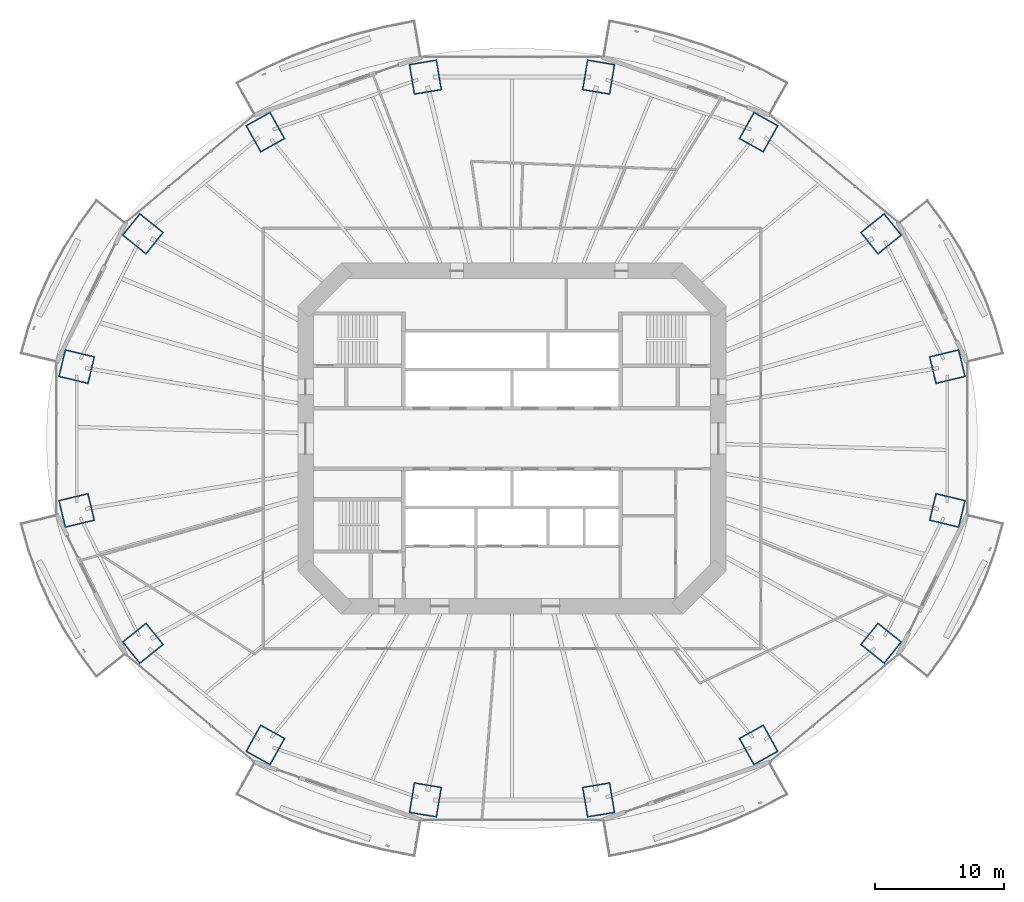
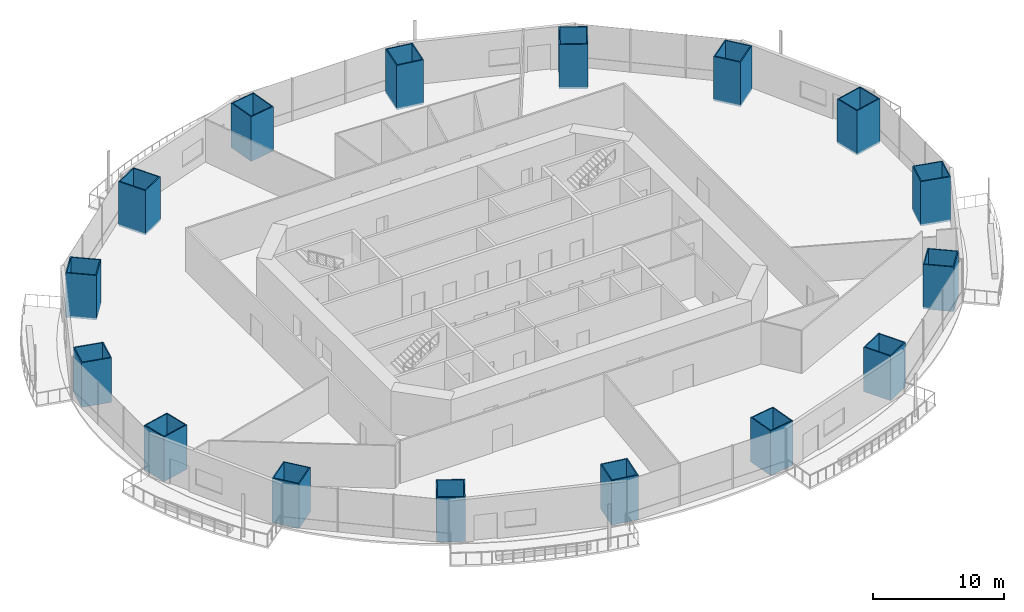
# One storey, part 1 of 23: 16 columns.
"""IFC4 building model written with IfcOpenShell, lengths in metres."""

from ifc_helpers import new_model, si_unit, direction, frame, origin, origin_2d, place, context, subcontext, project, spatial, rectangle, hollow_rectangle, extrude, material, material_profile, profile_set, type_object, element, save


model = new_model("IFC4")

# Units and contexts
model_context = context("Model", 3, precision=1e-05, world=origin(), true_north=direction((0.0, 1.0)))
body_context = subcontext(model_context, "Body", "Model", "MODEL_VIEW")
ifc_project = project(units=[si_unit("LENGTHUNIT", "METRE"), si_unit("AREAUNIT", "SQUARE_METRE"), si_unit("VOLUMEUNIT", "CUBIC_METRE"), si_unit("PLANEANGLEUNIT", "RADIAN"), si_unit("MASSUNIT", "GRAM", prefix="KILO")], contexts=[model_context])

# Site, building, storey
site_placement = place(None, origin())
site = spatial("IfcSite", under=ifc_project, at=site_placement, CompositionType="ELEMENT")
building_placement = place(site_placement, origin())
building = spatial("IfcBuilding", under=site, at=building_placement, Name="Marenthal Gate Tower", CompositionType="ELEMENT")
storey_placement = place(building_placement, frame((0.0, 0.0, 57.89990234375)))
storey = spatial("IfcBuildingStorey", under=building, at=storey_placement, Name="L10", CompositionType="ELEMENT", Elevation=57.89990234375)

# Columns
ifc_material_1 = material(Name="Steel S460", Category="steel")
ifc_material_profile_1 = material_profile(ifc_material_1, hollow_rectangle(XDim=2.199951171875, YDim=2.39990234375, WallThickness=0.090087890625, at=origin_2d()), Name="CFT BOX 2400X2200X90")
ifc_material_2 = material(Name="Concrete 70 MPa", Category="concrete")
ifc_material_profile_2 = material_profile(ifc_material_2, rectangle(XDim=2.02001953125, YDim=2.219970703125, at=origin_2d()), Name="CFT BOX 2400X2200X90 INFILL")
ifc_profile_set = profile_set([ifc_material_profile_1, ifc_material_profile_2], Name="Steel S460 shell, Concrete 70 MPa infill")
column_type = type_object("IfcColumnType", Name="CFT BOX 2400X2200X90", PredefinedType="COLUMN", material=ifc_profile_set)
for number, where, z_axis, x_axis, name in (
    (1, (33.753662109375, 5.573486328125, -0.179931640625), (0.0, 0.0, 1.0), (0.233019367947, -0.972472094284, 0.0), "COL-L10-01"),
    (2, (28.614990234375, 15.8720703125, -0.179931640625), (0.0, 0.0, 1.0), (0.627022662824, -0.779001014316, 0.0), "COL-L10-02"),
    (3, (19.119873046875, 23.75439453125, -0.179931640625), (0.0, 0.0, 1.0), (0.874483442073, -0.4850553675, 0.0), "COL-L10-03"),
    (4, (6.714111328125, 28.02001953125, -0.179931640625), (0.0, 0.0, 1.0), (0.98663963585, -0.16291785958, 0.0), "COL-L10-04"),
    (5, (-6.714111328125, 28.02001953125, -0.179931640625), (0.0, 0.0, 1.0), (0.98663963585, 0.16291785958, 0.0), "COL-L10-05"),
    (6, (-19.119873046875, 23.75439453125, -0.179931640625), (0.0, 0.0, 1.0), (0.874483442073, 0.4850553675, 0.0), "COL-L10-06"),
    (7, (-28.614990234375, 15.8720703125, -0.179931640625), (0.0, 0.0, 1.0), (0.627022662824, 0.779001014316, 0.0), "COL-L10-07"),
    (8, (-33.753662109375, 5.573486328125, -0.179931640625), (0.0, 0.0, 1.0), (0.233019367947, 0.972472094284, 0.0), "COL-L10-08"),
    (9, (-33.753662109375, -5.573486328125, -0.179931640625), (0.0, 0.0, 1.0), (-0.233019367947, 0.972472094284, 0.0), "COL-L10-09"),
    (10, (-28.614990234375, -15.8720703125, -0.179931640625), (0.0, 0.0, 1.0), (-0.627022662824, 0.779001014316, 0.0), "COL-L10-10"),
    (11, (-19.119873046875, -23.75439453125, -0.179931640625), (0.0, 0.0, 1.0), (-0.874483442073, 0.4850553675, 0.0), "COL-L10-11"),
    (12, (-6.714111328125, -28.02001953125, -0.179931640625), (0.0, 0.0, 1.0), (-0.98663963585, 0.16291785958, 0.0), "COL-L10-12"),
    (13, (6.714111328125, -28.02001953125, -0.179931640625), (0.0, 0.0, 1.0), (-0.98663963585, -0.16291785958, 0.0), "COL-L10-13"),
    (14, (19.119873046875, -23.75439453125, -0.179931640625), (0.0, 0.0, 1.0), (-0.874483442073, -0.4850553675, 0.0), "COL-L10-14"),
    (15, (28.614990234375, -15.8720703125, -0.179931640625), (0.0, 0.0, 1.0), (-0.627022662824, -0.779001014316, 0.0), "COL-L10-15"),
    (16, (33.753662109375, -5.573486328125, -0.179931640625), (0.0, 0.0, 1.0), (-0.233019367947, -0.972472094284, 0.0), "COL-L10-16"),
):
    element("IfcColumn", number, at=place(storey_placement, frame(where, z_axis=z_axis, x_axis=x_axis)), inside=storey, type_object=column_type, Name=name, PredefinedType="COLUMN", context=body_context, shape_type="SweptSolid", body=[
        extrude(hollow_rectangle(XDim=2.199951171875, YDim=2.39990234375, WallThickness=0.090087890625, at=origin_2d()), origin(), (0.0, 0.0, 1.0), 4.150146484375),
    ])

save(model, "model.ifc")
